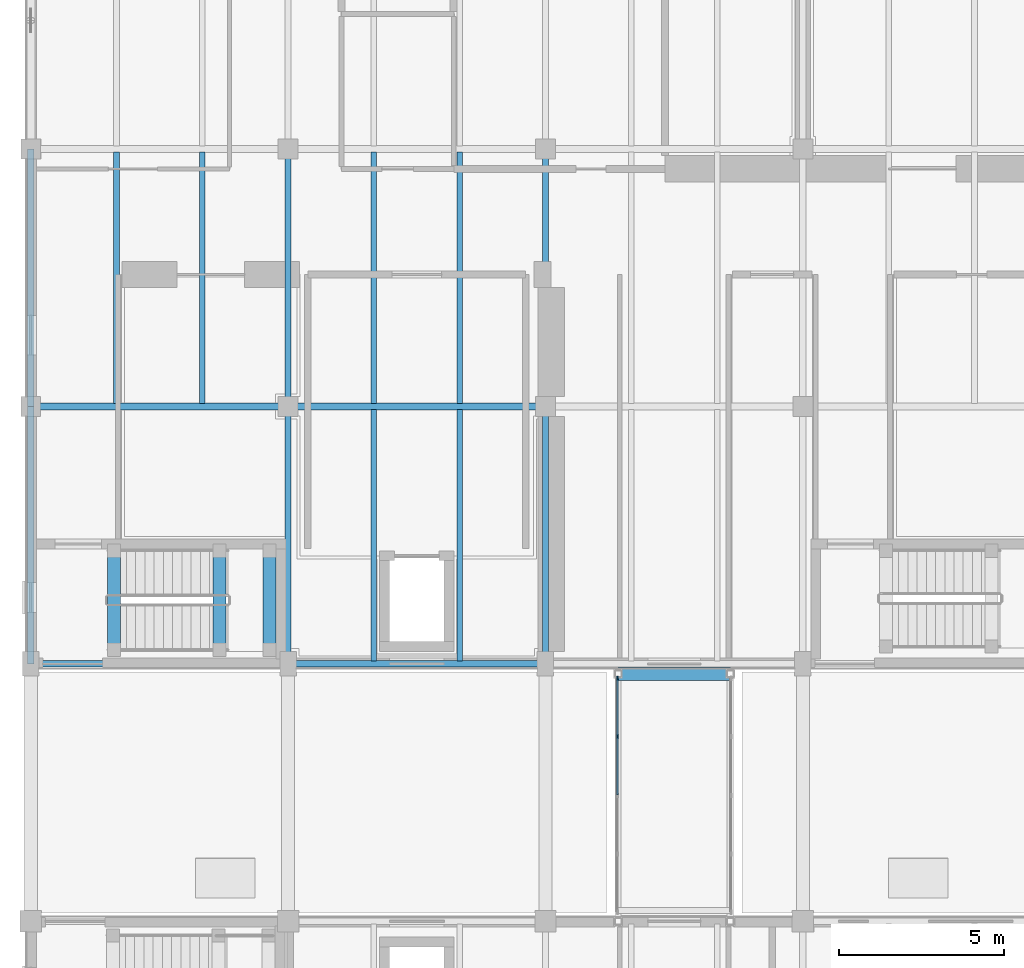
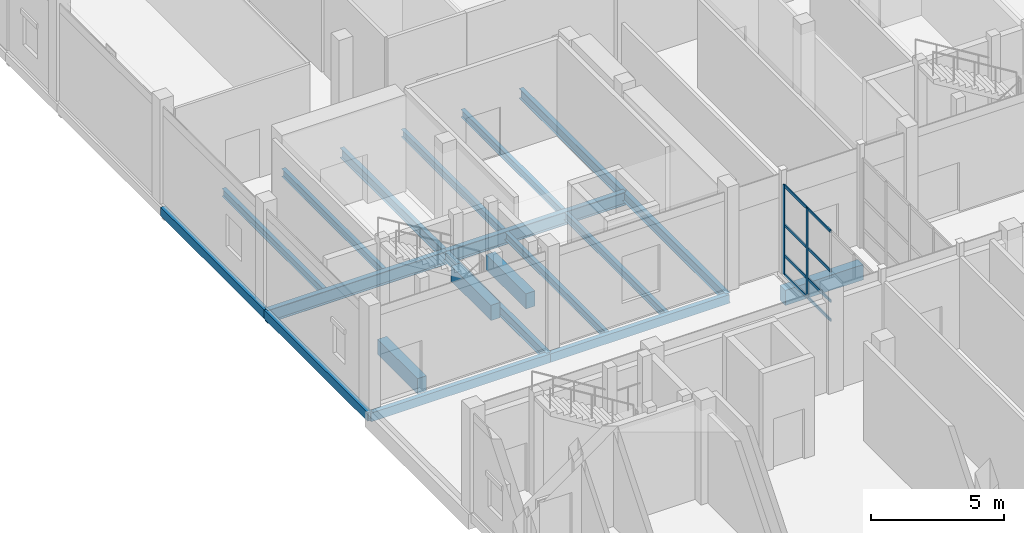
# One storey, part 28 of 131: 20 beams, 10 members, 1 element without a shape of its own.
"""IFC4 building model written with IfcOpenShell, lengths in metres."""

import ifcopenshell
import ifcopenshell.guid

model = None  # the IFC model being written
_history = None  # IfcOwnerHistory: only IFC2X3 demands one
_inside = {}  # id of a spatial element -> (the spatial element, [elements in it])
_under = {}  # id of a project, library or spatial element -> (it, [spatial elements below it])
_declared = {}  # id of a project -> (the project, [libraries it declares])
_typed = {}  # id of a type object -> (the type object, [elements of that type])
_made_of = {}  # id of a material, layer set ... -> (it, [elements and type objects made of it])


def new_model(schema):
    """Start an empty IFC model of exactly this schema.

    Asked for "IFC4X3", IfcOpenShell would pick the latest addendum, in which some entities
    have other attributes; the version numbers below select the first issue.
    IFC2X3 requires an IfcOwnerHistory on every rooted entity: one is made here for all.
    """
    global model, _history
    if schema == "IFC4X3":
        model = ifcopenshell.file(schema_version=(4, 3, 0, 0))
    else:
        model = ifcopenshell.file(schema=schema)
    _inside.clear()
    _under.clear()
    _declared.clear()
    _typed.clear()
    _made_of.clear()
    _history = None
    if model.schema == "IFC2X3":
        org = make("IfcOrganization", Name="unknown")
        user = make(
            "IfcPersonAndOrganization",
            ThePerson=make("IfcPerson", FamilyName="unknown"),
            TheOrganization=org,
        )
        app = make(
            "IfcApplication",
            ApplicationDeveloper=org,
            Version="unknown",
            ApplicationFullName="unknown",
            ApplicationIdentifier="unknown",
        )
        _history = make(
            "IfcOwnerHistory",
            OwningUser=user,
            OwningApplication=app,
            ChangeAction="ADDED",
            CreationDate=0,
        )
    return model


def make(cls, **values):
    """One entity of the class cls with the attributes given. An attribute that is None is left unset."""
    return model.create_entity(
        cls, **{name: value for name, value in values.items() if value is not None}
    )


def rooted(cls, **values):
    """An entity with a GlobalId (a new one), such as an element, a storey or a relation."""
    return make(cls, GlobalId=ifcopenshell.guid.new(), OwnerHistory=_history, **values)


def si_unit(unit_type, name, prefix=None):
    """IfcSIUnit, for example si_unit("LENGTHUNIT", "METRE", prefix="MILLI")."""
    return make("IfcSIUnit", UnitType=unit_type, Prefix=prefix, Name=name)


def assignment(units):
    """IfcUnitAssignment: the units of a project."""
    return None if units is None else make("IfcUnitAssignment", Units=units)


def point(xyz):
    """IfcCartesianPoint."""
    return None if xyz is None else make("IfcCartesianPoint", Coordinates=xyz)


def direction(xyz):
    """IfcDirection."""
    return None if xyz is None else make("IfcDirection", DirectionRatios=xyz)


def frame(location, z_axis=None, x_axis=None):
    """IfcAxis2Placement3D, a coordinate frame: its origin and axes. An axis left out is left unset."""
    return make(
        "IfcAxis2Placement3D",
        Location=point(location),
        Axis=direction(z_axis),
        RefDirection=direction(x_axis),
    )


def frame_2d(location, x_axis=None):
    """IfcAxis2Placement2D, a coordinate frame in the plane: its origin and x axis."""
    return make(
        "IfcAxis2Placement2D", Location=point(location), RefDirection=direction(x_axis)
    )


def origin():
    """The frame at (0, 0, 0) with its axes left unset."""
    return frame((0.0, 0.0, 0.0))


def origin_2d():
    """The frame at (0, 0) in the plane with its x axis left unset."""
    return frame_2d((0.0, 0.0))


def place(relative_to, where):
    """IfcLocalPlacement: puts the frame where relative to a parent placement (None: the world)."""
    return make(
        "IfcLocalPlacement", PlacementRelTo=relative_to, RelativePlacement=where
    )


def context(
    kind, dimensions, precision=None, world=None, true_north=None, identifier=None
):
    """IfcGeometricRepresentationContext, for example the 3D "Model" context."""
    return make(
        "IfcGeometricRepresentationContext",
        ContextIdentifier=identifier,
        ContextType=kind,
        CoordinateSpaceDimension=dimensions,
        Precision=precision,
        WorldCoordinateSystem=world,
        TrueNorth=true_north,
    )


def subcontext(parent, identifier, kind, view, scale=None):
    """IfcGeometricRepresentationSubContext, for example "Body" below "Model"."""
    return make(
        "IfcGeometricRepresentationSubContext",
        ContextIdentifier=identifier,
        ContextType=kind,
        ParentContext=parent,
        TargetScale=scale,
        TargetView=view,
    )


def project(units=None, contexts=None):
    """IfcProject with its units and contexts."""
    return rooted(
        "IfcProject",
        Name="project",
        RepresentationContexts=contexts,
        UnitsInContext=assignment(units),
    )


def spatial(cls, under=None, at=None, **own):
    """A site, building, storey or space (cls), placed at a placement, below another one or the project."""
    s = rooted(cls, ObjectPlacement=at, **own)
    if under is not None:
        _under.setdefault(under.id(), (under, []))[1].append(s)
    return s


def profile(cls, at=None, kind="AREA", **sizes):
    """A parametric profile (cls). Its sizes go by their IFC names, for example OverallWidth=200.0."""
    return make(cls, ProfileType=kind, Position=at, **sizes)


def rectangle(**sizes):
    """IfcRectangleProfileDef."""
    return profile("IfcRectangleProfileDef", **sizes)


def hollow_rectangle(**sizes):
    """IfcRectangleHollowProfileDef."""
    return profile("IfcRectangleHollowProfileDef", **sizes)


def i_section(**sizes):
    """IfcIShapeProfileDef."""
    return profile("IfcIShapeProfileDef", **sizes)


def extrude(swept, where, along, depth):
    """IfcExtrudedAreaSolid: the profile swept, set in the frame where, extruded along a direction by depth."""
    return make(
        "IfcExtrudedAreaSolid",
        SweptArea=swept,
        Position=where,
        ExtrudedDirection=direction(along),
        Depth=depth,
    )


def shape(context_of_items, identifier, shape_type, items):
    """IfcShapeRepresentation: the items that make up one representation, for example the "Body"."""
    return make(
        "IfcShapeRepresentation",
        ContextOfItems=context_of_items,
        RepresentationIdentifier=identifier,
        RepresentationType=shape_type,
        Items=items,
    )


def material(Name=None, Category=None):
    """IfcMaterial."""
    return make("IfcMaterial", Name=Name, Category=Category)


def layer(
    of_material, thickness, ventilated=None, Name=None, Category=None, Priority=None
):
    """IfcMaterialLayer: one layer of a wall or slab, of a material (None: an air gap)."""
    return make(
        "IfcMaterialLayer",
        Material=of_material,
        LayerThickness=thickness,
        IsVentilated=ventilated,
        Name=Name,
        Category=Category,
        Priority=Priority,
    )


def layer_set(layers, Name=None):
    """IfcMaterialLayerSet."""
    return make("IfcMaterialLayerSet", MaterialLayers=layers, LayerSetName=Name)


def material_profile(
    of_material, cross_section, Name=None, Category=None, Priority=None
):
    """IfcMaterialProfile: a cross section and its material."""
    return make(
        "IfcMaterialProfile",
        Name=Name,
        Material=of_material,
        Profile=cross_section,
        Priority=Priority,
        Category=Category,
    )


def profile_set(profiles, Name=None, composite=None):
    """IfcMaterialProfileSet."""
    return make(
        "IfcMaterialProfileSet",
        Name=Name,
        MaterialProfiles=profiles,
        CompositeProfile=composite,
    )


def made_of(thing, what):
    """Note that an element or type object is made of a material, layer set ...; save() writes the relation."""
    if what is not None:
        _made_of.setdefault(what.id(), (what, []))[1].append(thing)
    return thing


def type_object(cls, material=None, **own):
    """A type object (cls), such as IfcWallType, which elements share."""
    return made_of(rooted(cls, **own), material)


def element(
    cls,
    number,
    at=None,
    inside=None,
    cuts=None,
    type_object=None,
    material=None,
    context=None,
    identifier="Body",
    shape_type=None,
    held_by="IfcProductDefinitionShape",
    body=None,
    shapes=None,
    **own,
):
    """One element of the class cls, such as IfcWall. Its Tag is "e" and its number.

    at: its placement. inside: the storey or other place that contains it. cuts: it is an
    opening in that element (IfcRelVoidsElement). A single representation is given by context,
    identifier, shape_type and body (its items); several are given by shapes. held_by: the class
    of the entity that holds the representations. save() writes the other relations.
    """
    e = rooted(cls, Tag="e%d" % number, ObjectPlacement=at, **own)
    if body is not None:
        shapes = [shape(context, identifier, shape_type, body)]
    if shapes is not None:
        e.Representation = make(held_by, Representations=shapes)
    if inside is not None:
        _inside.setdefault(inside.id(), (inside, []))[1].append(e)
    if cuts is not None:
        rooted(
            "IfcRelVoidsElement", RelatingBuildingElement=cuts, RelatedOpeningElement=e
        )
    if type_object is not None:
        _typed.setdefault(type_object.id(), (type_object, []))[1].append(e)
    return made_of(e, material)


def aggregate(whole, parts):
    """IfcRelAggregates: a whole, such as a stair, and the parts it consists of."""
    return rooted("IfcRelAggregates", RelatingObject=whole, RelatedObjects=parts)


def save(model, path):
    """Write the relations noted so far, then the file.

    IfcRelAggregates (storeys below a building ...), IfcRelContainedInSpatialStructure (elements
    in a storey), IfcRelDefinesByType, IfcRelAssociatesMaterial and IfcRelDeclares: one each for
    every whole, place, type object, material and project.
    """
    for whole, parts in _under.values():
        aggregate(whole, parts)
    for where, things in _inside.values():
        rooted(
            "IfcRelContainedInSpatialStructure",
            RelatedElements=things,
            RelatingStructure=where,
        )
    for kind, things in _typed.values():
        rooted("IfcRelDefinesByType", RelatedObjects=things, RelatingType=kind)
    for what, things in _made_of.values():
        rooted("IfcRelAssociatesMaterial", RelatedObjects=things, RelatingMaterial=what)
    for by, libraries in _declared.values():
        rooted("IfcRelDeclares", RelatingContext=by, RelatedDefinitions=libraries)
    model.write(path)


model = new_model("IFC4")

# Units and contexts
model_context = context("Model", 3, precision=1e-05, world=origin(), true_north=direction((0.0, 1.0)))
body_context = subcontext(model_context, "Body", "Model", "MODEL_VIEW")
ifc_project = project(units=[si_unit("LENGTHUNIT", "METRE"), si_unit("AREAUNIT", "SQUARE_METRE"), si_unit("VOLUMEUNIT", "CUBIC_METRE"), si_unit("PLANEANGLEUNIT", "RADIAN"), si_unit("MASSUNIT", "GRAM", prefix="KILO")], contexts=[model_context])

# Site, building, storey
site_placement = place(None, origin())
site = spatial("IfcSite", under=ifc_project, at=site_placement, CompositionType="ELEMENT")
building_placement = place(site_placement, origin())
building = spatial("IfcBuilding", under=site, at=building_placement, Name="Celorna Specialist Clinic", CompositionType="ELEMENT")
storey_placement = place(building_placement, origin())
storey = spatial("IfcBuildingStorey", under=building, at=storey_placement, Name="L00", CompositionType="ELEMENT", Elevation=0.0)

# Beams
ifc_material_1 = material(Name="Steel S355", Category="steel")
ifc_material_profile_1 = material_profile(ifc_material_1, i_section(OverallWidth=0.219970703125, OverallDepth=0.60009765625, WebThickness=0.011962890625, FlangeThickness=0.01904296875, at=origin_2d()), Name="IPE 600")
ifc_profile_set_1 = profile_set([ifc_material_profile_1], Name="Steel S355")
beam_type_1 = type_object("IfcBeamType", Name="BM-06", PredefinedType="BEAM", material=ifc_profile_set_1)
for number, where, z_axis, x_axis, name in (
    (1, (0.0, 42.89990234375, -0.679931640625), (1.0, 0.0, 0.0), (0.0, 1.0, 0.0), "Primary girder BM-06 #236"),
    (2, (7.800048828125, 42.89990234375, -0.679931640625), (1.0, 0.0, 0.0), (0.0, 1.0, 0.0), "Primary girder BM-06 #237"),
):
    element("IfcBeam", number, at=place(storey_placement, frame(where, z_axis=z_axis, x_axis=x_axis)), inside=storey, type_object=beam_type_1, Name=name, PredefinedType="BEAM", context=body_context, shape_type="SweptSolid", body=[
        extrude(i_section(OverallWidth=0.219970703125, OverallDepth=0.60009765625, WebThickness=0.011962890625, FlangeThickness=0.01904296875, at=origin_2d()), origin(), (0.0, 0.0, 1.0), 7.800048828125),
    ])
ifc_material_profile_2 = material_profile(ifc_material_1, i_section(OverallWidth=0.18994140625, OverallDepth=0.449951171875, WebThickness=0.009521484375, FlangeThickness=0.0146484375, at=origin_2d()), Name="IPE 450")
ifc_profile_set_2 = profile_set([ifc_material_profile_2], Name="Steel S355")
beam_type_2 = type_object("IfcBeamType", Name="BM-09", PredefinedType="BEAM", material=ifc_profile_set_2)
beam_1_placement = place(storey_placement, frame((7.800048828125, 35.10009765625, -0.60498046875), z_axis=(0.0, 1.0, 0.0), x_axis=(-1.0, 0.0, 0.0)))
element("IfcBeam", 3, at=beam_1_placement, inside=storey, type_object=beam_type_2, Name="Transverse girder BM-09 #271", PredefinedType="BEAM", context=body_context, shape_type="SweptSolid", body=[
    extrude(i_section(OverallWidth=0.18994140625, OverallDepth=0.449951171875, WebThickness=0.009521484375, FlangeThickness=0.0146484375, at=origin_2d()), origin(), (0.0, 0.0, 1.0), 7.7998046875),
])
beam_2_placement = place(storey_placement, frame((7.800048828125, 42.89990234375, -0.60498046875), z_axis=(0.0, 1.0, 0.0), x_axis=(-1.0, 0.0, 0.0)))
element("IfcBeam", 4, at=beam_2_placement, inside=storey, type_object=beam_type_2, Name="Transverse girder BM-09 #272", PredefinedType="BEAM", context=body_context, shape_type="SweptSolid", body=[
    extrude(i_section(OverallWidth=0.18994140625, OverallDepth=0.449951171875, WebThickness=0.009521484375, FlangeThickness=0.0146484375, at=origin_2d()), origin(), (0.0, 0.0, 1.0), 7.800048828125),
])
beam_3_placement = place(storey_placement, frame((15.60009765625, 35.10009765625, -0.60498046875), z_axis=(0.0, 1.0, 0.0), x_axis=(-1.0, 0.0, 0.0)))
element("IfcBeam", 5, at=beam_3_placement, inside=storey, type_object=beam_type_2, Name="Transverse girder BM-09 #276", PredefinedType="BEAM", context=body_context, shape_type="SweptSolid", body=[
    extrude(i_section(OverallWidth=0.18994140625, OverallDepth=0.449951171875, WebThickness=0.009521484375, FlangeThickness=0.0146484375, at=origin_2d()), origin(), (0.0, 0.0, 1.0), 7.7998046875),
])
beam_4_placement = place(storey_placement, frame((15.60009765625, 42.89990234375, -0.60498046875), z_axis=(0.0, 1.0, 0.0), x_axis=(-1.0, 0.0, 0.0)))
element("IfcBeam", 6, at=beam_4_placement, inside=storey, type_object=beam_type_2, Name="Transverse girder BM-09 #277", PredefinedType="BEAM", context=body_context, shape_type="SweptSolid", body=[
    extrude(i_section(OverallWidth=0.18994140625, OverallDepth=0.449951171875, WebThickness=0.009521484375, FlangeThickness=0.0146484375, at=origin_2d()), origin(), (0.0, 0.0, 1.0), 7.800048828125),
])
ifc_material_profile_3 = material_profile(ifc_material_1, i_section(OverallWidth=0.169921875, OverallDepth=0.360107421875, WebThickness=0.008056640625, FlangeThickness=0.0126953125, at=origin_2d()), Name="IPE 360")
ifc_profile_set_3 = profile_set([ifc_material_profile_3], Name="Steel S355")
beam_type_3 = type_object("IfcBeamType", Name="BM-11", PredefinedType="JOIST", material=ifc_profile_set_3)
for number, where, z_axis, x_axis, name in (
    (7, (2.60009765625, 42.988037109375, -0.56005859375), (0.0, 1.0, 0.0), (-1.0, 0.0, 0.0), "Secondary floor joist BM-11 #301"),
    (8, (5.199951171875, 42.988037109375, -0.56005859375), (0.0, 1.0, 0.0), (-1.0, 0.0, 0.0), "Secondary floor joist BM-11 #302"),
    (9, (10.39990234375, 35.18798828125, -0.56005859375), (0.0, 1.0, 0.0), (-1.0, 0.0, 0.0), "Secondary floor joist BM-11 #309"),
    (10, (13.0, 35.18798828125, -0.56005859375), (0.0, 1.0, 0.0), (-1.0, 0.0, 0.0), "Secondary floor joist BM-11 #310"),
    (11, (10.39990234375, 42.988037109375, -0.56005859375), (0.0, 1.0, 0.0), (-1.0, 0.0, 0.0), "Secondary floor joist BM-11 #311"),
    (12, (13.0, 42.988037109375, -0.56005859375), (0.0, 1.0, 0.0), (-1.0, 0.0, 0.0), "Secondary floor joist BM-11 #312"),
):
    element("IfcBeam", number, at=place(storey_placement, frame(where, z_axis=z_axis, x_axis=x_axis)), inside=storey, type_object=beam_type_3, Name=name, PredefinedType="JOIST", context=body_context, shape_type="SweptSolid", body=[
        extrude(i_section(OverallWidth=0.169921875, OverallDepth=0.360107421875, WebThickness=0.008056640625, FlangeThickness=0.0126953125, at=origin_2d()), origin(), (0.0, 0.0, 1.0), 7.6240234375),
    ])
ifc_material_profile_4 = material_profile(ifc_material_1, hollow_rectangle(XDim=0.199951171875, YDim=0.39990234375, WallThickness=0.011962890625, at=origin_2d()), Name="RHS 200x400x12")
ifc_profile_set_4 = profile_set([ifc_material_profile_4], Name="Steel S355")
beam_type_4 = type_object("IfcBeamType", Name="BM-15", PredefinedType="SPANDREL", material=ifc_profile_set_4)
for number, where, z_axis, x_axis, name in (
    (13, (0.0, 35.10009765625, -0.580078125), (1.0, 0.0, 0.0), (0.0, 1.0, 0.0), "Spandrel beam BM-15 #230"),
    (14, (7.800048828125, 35.10009765625, -0.580078125), (1.0, 0.0, 0.0), (0.0, 1.0, 0.0), "Spandrel beam BM-15 #231"),
):
    element("IfcBeam", number, at=place(storey_placement, frame(where, z_axis=z_axis, x_axis=x_axis)), inside=storey, type_object=beam_type_4, Name=name, PredefinedType="SPANDREL", context=body_context, shape_type="SweptSolid", body=[
        extrude(hollow_rectangle(XDim=0.199951171875, YDim=0.39990234375, WallThickness=0.011962890625, at=origin_2d()), origin(), (0.0, 0.0, 1.0), 7.800048828125),
    ])
beam_5_placement = place(storey_placement, frame((0.0, 35.10009765625, -0.580078125), z_axis=(0.0, 1.0, 0.0), x_axis=(-1.0, 0.0, 0.0)))
element("IfcBeam", 15, at=beam_5_placement, inside=storey, type_object=beam_type_4, Name="Spandrel beam BM-15 #266", PredefinedType="SPANDREL", context=body_context, shape_type="SweptSolid", body=[
    extrude(hollow_rectangle(XDim=0.199951171875, YDim=0.39990234375, WallThickness=0.011962890625, at=origin_2d()), origin(), (0.0, 0.0, 1.0), 7.7998046875),
])
beam_6_placement = place(storey_placement, frame((0.0, 42.89990234375, -0.580078125), z_axis=(0.0, 1.0, 0.0), x_axis=(-1.0, 0.0, 0.0)))
element("IfcBeam", 16, at=beam_6_placement, inside=storey, type_object=beam_type_4, Name="Spandrel beam BM-15 #267", PredefinedType="SPANDREL", context=body_context, shape_type="SweptSolid", body=[
    extrude(hollow_rectangle(XDim=0.199951171875, YDim=0.39990234375, WallThickness=0.011962890625, at=origin_2d()), origin(), (0.0, 0.0, 1.0), 7.800048828125),
])
ifc_material_2 = material(Name="Concrete C35/45", Category="concrete")
ifc_material_profile_5 = material_profile(ifc_material_2, rectangle(XDim=0.39990234375, YDim=0.699951171875, at=origin_2d()), Name="RC 400x700")
ifc_profile_set_5 = profile_set([ifc_material_profile_5], Name="Concrete C35/45")
beam_type_5 = type_object("IfcBeamType", Name="BM-19", PredefinedType="BEAM", material=ifc_profile_set_5)
beam_7_placement = place(storey_placement, frame((17.800048828125, 34.800048828125, -1.06494140625), z_axis=(1.0, 0.0, 0.0), x_axis=(0.0, 1.0, 0.0)))
element("IfcBeam", 17, at=beam_7_placement, inside=storey, type_object=beam_type_5, Name="Seismic joint bridge corbel beam BR-01 BM-19 #66", PredefinedType="BEAM", context=body_context, shape_type="SweptSolid", body=[
    extrude(rectangle(XDim=0.39990234375, YDim=0.699951171875, at=origin_2d()), origin(), (0.0, 0.0, 1.0), 3.39990234375),
])
for number, where, z_axis, x_axis, name in (
    (18, (2.52001953125, 35.530029296875, -0.27490234375), (0.0, 1.0, 0.0), (-1.0, 0.0, 0.0), "Stair ST-06 floor landing trimmer beam L00"),
    (19, (5.719970703125, 35.530029296875, 1.97509765625), (0.0, 1.0, 0.0), (-1.0, 0.0, 0.0), "Stair ST-06 half-landing beam L00"),
    (20, (7.239990234375, 35.530029296875, 1.97509765625), (0.0, 1.0, 0.0), (-1.0, 0.0, 0.0), "Stair ST-06 half-landing beam L00"),
):
    element("IfcBeam", number, at=place(storey_placement, frame(where, z_axis=z_axis, x_axis=x_axis)), inside=storey, type_object=beam_type_5, Name=name, PredefinedType="BEAM", context=body_context, shape_type="SweptSolid", body=[
        extrude(rectangle(XDim=0.39990234375, YDim=0.699951171875, at=origin_2d()), origin(), (0.0, 0.0, 1.0), 3.0),
    ])

# Curtain wall, members
ifc_material_3 = material(Name="Thermally broken aluminium and solar-control glass curtain wall", Category="aluminium")
ifc_layer = layer(ifc_material_3, 0.159912109375, Name="Thermally broken aluminium and solar-control glass curtain wall")
ifc_layer_set = layer_set([ifc_layer], Name="Thermally broken aluminium and solar-control glass curtain wall")
curtain_wall_type = type_object("IfcCurtainWallType", Name="CW-111", PredefinedType="NOTDEFINED", material=ifc_layer_set)
curtain_wall_placement = place(storey_placement, origin())
curtain_wall = element("IfcCurtainWall", 21, at=curtain_wall_placement, inside=storey, type_object=curtain_wall_type, Name="Curtain wall CW-111 #198", PredefinedType="NOTDEFINED")
ifc_material_4 = material(Name="Anodized aluminium mullion", Category="aluminium")
ifc_material_profile_6 = material_profile(ifc_material_4, rectangle(XDim=0.050048828125, YDim=0.139892578125, at=origin_2d()), Name="ALU MULLION 50x140")
ifc_profile_set_6 = profile_set([ifc_material_profile_6], Name="Anodized aluminium mullion")
member_type_1 = type_object("IfcMemberType", Name="ML-03", PredefinedType="MULLION", material=ifc_profile_set_6)
member_1_placement = place(storey_placement, frame((17.780029296875, 32.8974609375, 0.0), z_axis=(0.0, 0.0, 1.0), x_axis=(-1.0, 0.0, 0.0)))
member_1 = element("IfcMember", 22, at=member_1_placement, type_object=member_type_1, Name="CW-111 mullion 4", PredefinedType="MULLION", context=body_context, shape_type="SweptSolid", body=[
    extrude(rectangle(XDim=0.050048828125, YDim=0.139892578125, at=origin_2d()), origin(), (0.0, 0.0, 1.0), 4.1298828125),
])
member_2_placement = place(storey_placement, frame((17.780029296875, 34.655029296875, 0.0), z_axis=(0.0, 0.0, 1.0), x_axis=(-1.0, 0.0, 0.0)))
member_2 = element("IfcMember", 23, at=member_2_placement, type_object=member_type_1, Name="CW-111 mullion 5", PredefinedType="MULLION", context=body_context, shape_type="SweptSolid", body=[
    extrude(rectangle(XDim=0.050048828125, YDim=0.139892578125, at=origin_2d()), origin(), (0.0, 0.0, 1.0), 4.1298828125),
])
ifc_material_5 = material(Name="Anodized aluminium transom", Category="aluminium")
ifc_material_profile_7 = material_profile(ifc_material_5, rectangle(XDim=0.050048828125, YDim=0.1298828125, at=origin_2d()), Name="ALU TRANSOM 50x130")
ifc_profile_set_7 = profile_set([ifc_material_profile_7], Name="Anodized aluminium transom")
member_type_2 = type_object("IfcMemberType", Name="TR-01", PredefinedType="USERDEFINED", material=ifc_profile_set_7)
member_3_placement = place(storey_placement, frame((17.780029296875, 31.139892578125, 0.02490234375), z_axis=(0.0, 1.0, 0.0), x_axis=(-1.0, 0.0, 0.0)))
member_3 = element("IfcMember", 24, at=member_3_placement, type_object=member_type_2, Name="CW-111 transom 3.1", ObjectType="TRANSOM", PredefinedType="USERDEFINED", context=body_context, shape_type="SweptSolid", body=[
    extrude(rectangle(XDim=0.050048828125, YDim=0.1298828125, at=origin_2d()), origin(), (0.0, 0.0, 1.0), 1.732666015625),
])
member_4_placement = place(storey_placement, frame((17.780029296875, 31.139892578125, 0.89990234375), z_axis=(0.0, 1.0, 0.0), x_axis=(-1.0, 0.0, 0.0)))
member_4 = element("IfcMember", 25, at=member_4_placement, type_object=member_type_2, Name="CW-111 transom 3.2", ObjectType="TRANSOM", PredefinedType="USERDEFINED", context=body_context, shape_type="SweptSolid", body=[
    extrude(rectangle(XDim=0.050048828125, YDim=0.1298828125, at=origin_2d()), origin(), (0.0, 0.0, 1.0), 1.732666015625),
])
member_5_placement = place(storey_placement, frame((17.780029296875, 31.139892578125, 2.300048828125), z_axis=(0.0, 1.0, 0.0), x_axis=(-1.0, 0.0, 0.0)))
member_5 = element("IfcMember", 26, at=member_5_placement, type_object=member_type_2, Name="CW-111 transom 3.3", ObjectType="TRANSOM", PredefinedType="USERDEFINED", context=body_context, shape_type="SweptSolid", body=[
    extrude(rectangle(XDim=0.050048828125, YDim=0.1298828125, at=origin_2d()), origin(), (0.0, 0.0, 1.0), 1.732666015625),
])
member_6_placement = place(storey_placement, frame((17.780029296875, 31.139892578125, 4.10498046875), z_axis=(0.0, 1.0, 0.0), x_axis=(-1.0, 0.0, 0.0)))
member_6 = element("IfcMember", 27, at=member_6_placement, type_object=member_type_2, Name="CW-111 transom 3.4", ObjectType="TRANSOM", PredefinedType="USERDEFINED", context=body_context, shape_type="SweptSolid", body=[
    extrude(rectangle(XDim=0.050048828125, YDim=0.1298828125, at=origin_2d()), origin(), (0.0, 0.0, 1.0), 1.732666015625),
])
member_7_placement = place(storey_placement, frame((17.780029296875, 32.922607421875, 0.02490234375), z_axis=(0.0, 1.0, 0.0), x_axis=(-1.0, 0.0, 0.0)))
member_7 = element("IfcMember", 28, at=member_7_placement, type_object=member_type_2, Name="CW-111 transom 4.1", ObjectType="TRANSOM", PredefinedType="USERDEFINED", context=body_context, shape_type="SweptSolid", body=[
    extrude(rectangle(XDim=0.050048828125, YDim=0.1298828125, at=origin_2d()), origin(), (0.0, 0.0, 1.0), 1.707275390625),
])
member_8_placement = place(storey_placement, frame((17.780029296875, 32.922607421875, 0.89990234375), z_axis=(0.0, 1.0, 0.0), x_axis=(-1.0, 0.0, 0.0)))
member_8 = element("IfcMember", 29, at=member_8_placement, type_object=member_type_2, Name="CW-111 transom 4.2", ObjectType="TRANSOM", PredefinedType="USERDEFINED", context=body_context, shape_type="SweptSolid", body=[
    extrude(rectangle(XDim=0.050048828125, YDim=0.1298828125, at=origin_2d()), origin(), (0.0, 0.0, 1.0), 1.707275390625),
])
member_9_placement = place(storey_placement, frame((17.780029296875, 32.922607421875, 2.300048828125), z_axis=(0.0, 1.0, 0.0), x_axis=(-1.0, 0.0, 0.0)))
member_9 = element("IfcMember", 30, at=member_9_placement, type_object=member_type_2, Name="CW-111 transom 4.3", ObjectType="TRANSOM", PredefinedType="USERDEFINED", context=body_context, shape_type="SweptSolid", body=[
    extrude(rectangle(XDim=0.050048828125, YDim=0.1298828125, at=origin_2d()), origin(), (0.0, 0.0, 1.0), 1.707275390625),
])
member_10_placement = place(storey_placement, frame((17.780029296875, 32.922607421875, 4.10498046875), z_axis=(0.0, 1.0, 0.0), x_axis=(-1.0, 0.0, 0.0)))
member_10 = element("IfcMember", 31, at=member_10_placement, type_object=member_type_2, Name="CW-111 transom 4.4", ObjectType="TRANSOM", PredefinedType="USERDEFINED", context=body_context, shape_type="SweptSolid", body=[
    extrude(rectangle(XDim=0.050048828125, YDim=0.1298828125, at=origin_2d()), origin(), (0.0, 0.0, 1.0), 1.707275390625),
])
aggregate(curtain_wall, [member_1, member_2, member_3, member_4, member_5, member_6, member_7, member_8, member_9, member_10])

save(model, "model.ifc")
